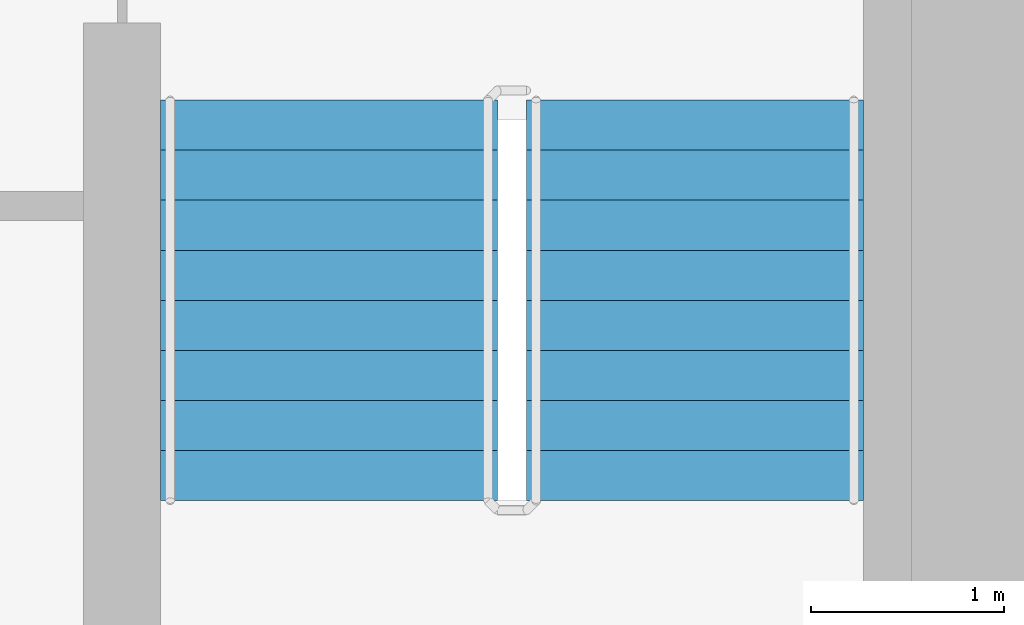
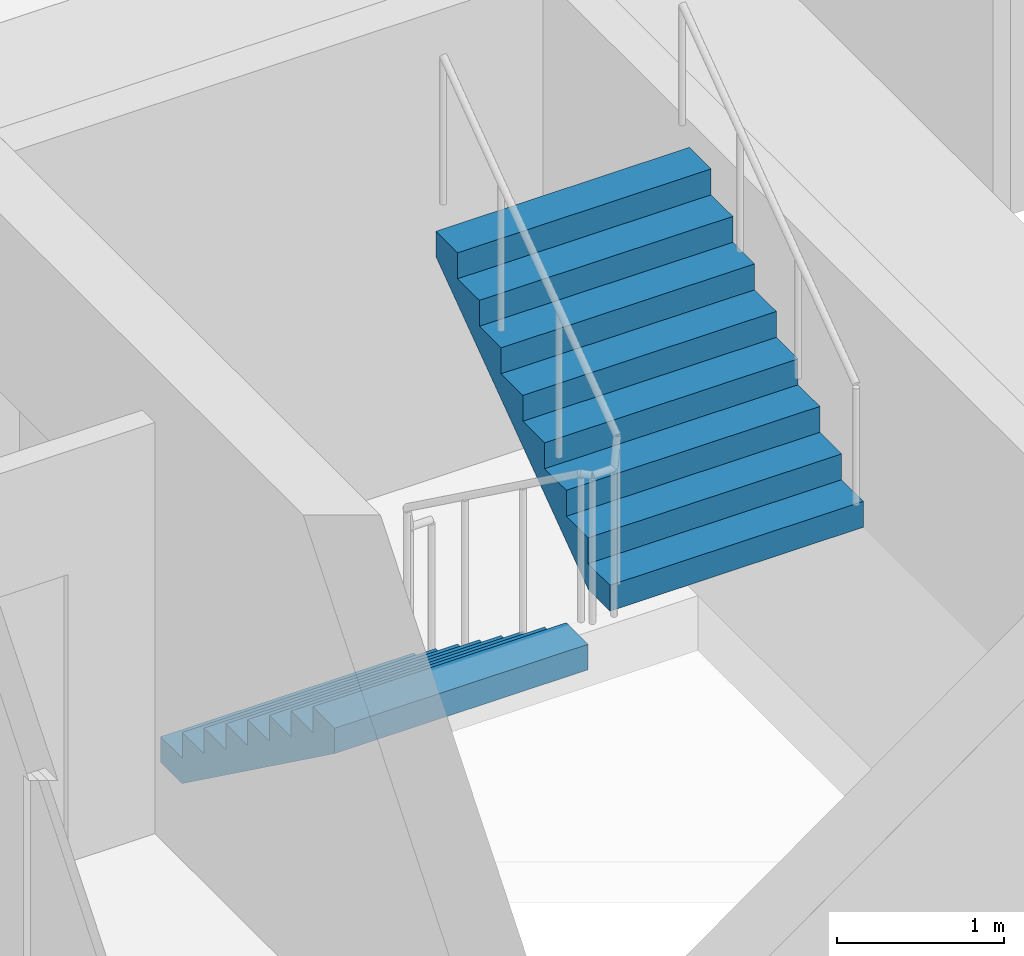
# One storey, part 16 of 20: 2 stair flights, 1 element without a shape of its own.
"""IFC4 building model written with IfcOpenShell, lengths in metres."""

from ifc_helpers import new_model, si_unit, direction, frame, origin, place, context, subcontext, project, spatial, faceted_brep, material, type_object, element, aggregate, save


model = new_model("IFC4")

# Units and contexts
model_context = context("Model", 3, precision=1e-05, world=origin(), true_north=direction((0.0, 1.0)))
body_context = subcontext(model_context, "Body", "Model", "MODEL_VIEW")
ifc_project = project(units=[si_unit("LENGTHUNIT", "METRE"), si_unit("AREAUNIT", "SQUARE_METRE"), si_unit("VOLUMEUNIT", "CUBIC_METRE"), si_unit("PLANEANGLEUNIT", "RADIAN"), si_unit("MASSUNIT", "GRAM", prefix="KILO")], contexts=[model_context])

# Site, building, storey
site_placement = place(None, origin())
site = spatial("IfcSite", under=ifc_project, at=site_placement, CompositionType="ELEMENT")
building_placement = place(site_placement, origin())
building = spatial("IfcBuilding", under=site, at=building_placement, Name="Ipe Terrace Towers", CompositionType="ELEMENT")
storey_placement = place(building_placement, frame((0.0, 0.0, 100.39990234375)))
storey = spatial("IfcBuildingStorey", under=building, at=storey_placement, Name="L27", CompositionType="ELEMENT", Elevation=100.39990234375)

# Stair, stair flights
ifc_material_1 = material(Name="Concrete C30/37", Category="concrete")
stair_type = type_object("IfcStairType", Name="Protected exit stair", PredefinedType="HALF_TURN_STAIR", material=ifc_material_1)
stair_placement = place(storey_placement, origin())
stair = element("IfcStair", 1, at=stair_placement, inside=storey, type_object=stair_type, Name="L27 Exit stair T2-C2", PredefinedType="HALF_TURN_STAIR")
ifc_material_2 = material(Name="Concrete C30/37", Category="concrete")
stair_flight_type = type_object("IfcStairFlightType", Name="Exit stair flight 1750", PredefinedType="STRAIGHT", material=ifc_material_2)
stair_flight_1_placement = place(storey_placement, frame((38.77490234375, -9.699951171875, 0.0), z_axis=(0.0, 0.0, 1.0), x_axis=(0.0, -1.0, 0.0)))
stair_flight_1 = element("IfcStairFlight", 2, at=stair_flight_1_placement, type_object=stair_flight_type, Name="T2-ST2 flight 1", NumberOfRisers=9, NumberOfTreads=8, PredefinedType="STRAIGHT", RiserHeight=0.188888889, TreadLength=0.26, context=body_context, shape_type="Brep", body=[
    faceted_brep([(0.255126953125, -0.875, 0.0), (2.080078125, -0.875, 1.325927734375), (2.080078125, -0.875, 1.51123046875), (1.820068359375, -0.875, 1.51123046875), (1.820068359375, -0.875, 1.322265625), (1.56005859375, -0.875, 1.322265625), (1.56005859375, -0.875, 1.13330078125), (1.300048828125, -0.875, 1.13330078125), (1.300048828125, -0.875, 0.9443359375), (1.0400390625, -0.875, 0.9443359375), (1.0400390625, -0.875, 0.755615234375), (0.780029296875, -0.875, 0.755615234375), (0.780029296875, -0.875, 0.566650390625), (0.52001953125, -0.875, 0.566650390625), (0.52001953125, -0.875, 0.377685546875), (0.260009765625, -0.875, 0.377685546875), (0.260009765625, -0.875, 0.18896484375), (0.0, -0.875, 0.18896484375), (0.0, -0.875, 0.0), (0.0, 0.875, 0.0), (0.0, 0.875, 0.18896484375), (0.260009765625, 0.875, 0.18896484375), (0.260009765625, 0.875, 0.377685546875), (0.52001953125, 0.875, 0.377685546875), (0.52001953125, 0.875, 0.566650390625), (0.780029296875, 0.875, 0.566650390625), (0.780029296875, 0.875, 0.755615234375), (1.0400390625, 0.875, 0.755615234375), (1.0400390625, 0.875, 0.9443359375), (1.300048828125, 0.875, 0.9443359375), (1.300048828125, 0.875, 1.13330078125), (1.56005859375, 0.875, 1.13330078125), (1.56005859375, 0.875, 1.322265625), (1.820068359375, 0.875, 1.322265625), (1.820068359375, 0.875, 1.51123046875), (2.080078125, 0.875, 1.51123046875), (2.080078125, 0.875, 1.325927734375), (0.255126953125, 0.875, 0.0), (0.0, -0.300048828125, 0.18896484375), (0.0, -0.1201171875, 0.18896484375), (0.0, -0.06005859375, 0.18896484375), (0.0, -0.030029296875, 0.18896484375), (0.0, -0.010009765625, 0.18896484375), (0.0, 0.0, 0.18896484375), (0.0, 0.010009765625, 0.18896484375), (0.0, 0.030029296875, 0.18896484375), (0.0, 0.06005859375, 0.18896484375), (0.0, 0.1201171875, 0.18896484375), (0.0, 0.300048828125, 0.18896484375), (0.0, 0.300048828125, 0.0), (0.0, 0.1201171875, 0.0), (0.0, 0.06005859375, 0.0), (0.0, 0.030029296875, 0.0), (0.0, 0.010009765625, 0.0), (0.0, 0.0, 0.0), (0.0, -0.010009765625, 0.0), (0.0, -0.030029296875, 0.0), (0.0, -0.06005859375, 0.0), (0.0, -0.1201171875, 0.0), (0.0, -0.300048828125, 0.0), (0.260009765625, -0.300048828125, 0.18896484375), (0.260009765625, -0.1201171875, 0.18896484375), (0.260009765625, -0.06005859375, 0.18896484375), (0.260009765625, -0.030029296875, 0.18896484375), (0.260009765625, -0.010009765625, 0.18896484375), (0.260009765625, 0.0, 0.18896484375), (0.260009765625, 0.010009765625, 0.18896484375), (0.260009765625, 0.030029296875, 0.18896484375), (0.260009765625, 0.06005859375, 0.18896484375), (0.260009765625, 0.1201171875, 0.18896484375), (0.260009765625, 0.300048828125, 0.18896484375), (0.260009765625, -0.300048828125, 0.377685546875), (0.260009765625, -0.1201171875, 0.377685546875), (0.260009765625, -0.06005859375, 0.377685546875), (0.260009765625, -0.030029296875, 0.377685546875), (0.260009765625, -0.010009765625, 0.377685546875), (0.260009765625, 0.0, 0.377685546875), (0.260009765625, 0.010009765625, 0.377685546875), (0.260009765625, 0.030029296875, 0.377685546875), (0.260009765625, 0.06005859375, 0.377685546875), (0.260009765625, 0.1201171875, 0.377685546875), (0.260009765625, 0.300048828125, 0.377685546875), (0.52001953125, -0.300048828125, 0.377685546875), (0.52001953125, -0.1201171875, 0.377685546875), (0.52001953125, -0.06005859375, 0.377685546875), (0.52001953125, -0.030029296875, 0.377685546875), (0.52001953125, -0.010009765625, 0.377685546875), (0.52001953125, 0.0, 0.377685546875), (0.52001953125, 0.010009765625, 0.377685546875), (0.52001953125, 0.030029296875, 0.377685546875), (0.52001953125, 0.06005859375, 0.377685546875), (0.52001953125, 0.1201171875, 0.377685546875), (0.52001953125, 0.300048828125, 0.377685546875), (0.52001953125, -0.300048828125, 0.566650390625), (0.52001953125, -0.1201171875, 0.566650390625), (0.52001953125, -0.06005859375, 0.566650390625), (0.52001953125, -0.030029296875, 0.566650390625), (0.52001953125, -0.010009765625, 0.566650390625), (0.52001953125, 0.0, 0.566650390625), (0.52001953125, 0.010009765625, 0.566650390625), (0.52001953125, 0.030029296875, 0.566650390625), (0.52001953125, 0.06005859375, 0.566650390625), (0.52001953125, 0.1201171875, 0.566650390625), (0.52001953125, 0.300048828125, 0.566650390625), (0.780029296875, -0.300048828125, 0.566650390625), (0.780029296875, -0.1201171875, 0.566650390625), (0.780029296875, -0.06005859375, 0.566650390625), (0.780029296875, -0.030029296875, 0.566650390625), (0.780029296875, -0.010009765625, 0.566650390625), (0.780029296875, 0.0, 0.566650390625), (0.780029296875, 0.010009765625, 0.566650390625), (0.780029296875, 0.030029296875, 0.566650390625), (0.780029296875, 0.06005859375, 0.566650390625), (0.780029296875, 0.1201171875, 0.566650390625), (0.780029296875, 0.300048828125, 0.566650390625), (0.780029296875, -0.300048828125, 0.755615234375), (0.780029296875, -0.1201171875, 0.755615234375), (0.780029296875, -0.06005859375, 0.755615234375), (0.780029296875, -0.030029296875, 0.755615234375), (0.780029296875, -0.010009765625, 0.755615234375), (0.780029296875, 0.0, 0.755615234375), (0.780029296875, 0.010009765625, 0.755615234375), (0.780029296875, 0.030029296875, 0.755615234375), (0.780029296875, 0.06005859375, 0.755615234375), (0.780029296875, 0.1201171875, 0.755615234375), (0.780029296875, 0.300048828125, 0.755615234375), (1.0400390625, -0.300048828125, 0.755615234375), (1.0400390625, -0.1201171875, 0.755615234375), (1.0400390625, -0.06005859375, 0.755615234375), (1.0400390625, -0.030029296875, 0.755615234375), (1.0400390625, -0.010009765625, 0.755615234375), (1.0400390625, 0.0, 0.755615234375), (1.0400390625, 0.010009765625, 0.755615234375), (1.0400390625, 0.030029296875, 0.755615234375), (1.0400390625, 0.06005859375, 0.755615234375), (1.0400390625, 0.1201171875, 0.755615234375), (1.0400390625, 0.300048828125, 0.755615234375), (1.0400390625, -0.300048828125, 0.9443359375), (1.0400390625, -0.1201171875, 0.9443359375), (1.0400390625, -0.06005859375, 0.9443359375), (1.0400390625, -0.030029296875, 0.9443359375), (1.0400390625, -0.010009765625, 0.9443359375), (1.0400390625, 0.0, 0.9443359375), (1.0400390625, 0.010009765625, 0.9443359375), (1.0400390625, 0.030029296875, 0.9443359375), (1.0400390625, 0.06005859375, 0.9443359375), (1.0400390625, 0.1201171875, 0.9443359375), (1.0400390625, 0.300048828125, 0.9443359375), (1.300048828125, -0.300048828125, 0.9443359375), (1.300048828125, -0.1201171875, 0.9443359375), (1.300048828125, -0.06005859375, 0.9443359375), (1.300048828125, -0.030029296875, 0.9443359375), (1.300048828125, -0.010009765625, 0.9443359375), (1.300048828125, 0.0, 0.9443359375), (1.300048828125, 0.010009765625, 0.9443359375), (1.300048828125, 0.030029296875, 0.9443359375), (1.300048828125, 0.06005859375, 0.9443359375), (1.300048828125, 0.1201171875, 0.9443359375), (1.300048828125, 0.300048828125, 0.9443359375), (1.300048828125, -0.300048828125, 1.13330078125), (1.300048828125, -0.1201171875, 1.13330078125), (1.300048828125, -0.06005859375, 1.13330078125), (1.300048828125, -0.030029296875, 1.13330078125), (1.300048828125, -0.010009765625, 1.13330078125), (1.300048828125, 0.0, 1.13330078125), (1.300048828125, 0.010009765625, 1.13330078125), (1.300048828125, 0.030029296875, 1.13330078125), (1.300048828125, 0.06005859375, 1.13330078125), (1.300048828125, 0.1201171875, 1.13330078125), (1.300048828125, 0.300048828125, 1.13330078125), (1.56005859375, -0.300048828125, 1.13330078125), (1.56005859375, -0.1201171875, 1.13330078125), (1.56005859375, -0.06005859375, 1.13330078125), (1.56005859375, -0.030029296875, 1.13330078125), (1.56005859375, -0.010009765625, 1.13330078125), (1.56005859375, 0.0, 1.13330078125), (1.56005859375, 0.010009765625, 1.13330078125), (1.56005859375, 0.030029296875, 1.13330078125), (1.56005859375, 0.06005859375, 1.13330078125), (1.56005859375, 0.1201171875, 1.13330078125), (1.56005859375, 0.300048828125, 1.13330078125), (1.56005859375, -0.300048828125, 1.322265625), (1.56005859375, -0.1201171875, 1.322265625), (1.56005859375, -0.06005859375, 1.322265625), (1.56005859375, -0.030029296875, 1.322265625), (1.56005859375, -0.010009765625, 1.322265625), (1.56005859375, 0.0, 1.322265625), (1.56005859375, 0.010009765625, 1.322265625), (1.56005859375, 0.030029296875, 1.322265625), (1.56005859375, 0.06005859375, 1.322265625), (1.56005859375, 0.1201171875, 1.322265625), (1.56005859375, 0.300048828125, 1.322265625), (1.820068359375, -0.300048828125, 1.322265625), (1.820068359375, -0.1201171875, 1.322265625), (1.820068359375, -0.06005859375, 1.322265625), (1.820068359375, -0.030029296875, 1.322265625), (1.820068359375, -0.010009765625, 1.322265625), (1.820068359375, 0.0, 1.322265625), (1.820068359375, 0.010009765625, 1.322265625), (1.820068359375, 0.030029296875, 1.322265625), (1.820068359375, 0.06005859375, 1.322265625), (1.820068359375, 0.1201171875, 1.322265625), (1.820068359375, 0.300048828125, 1.322265625), (1.820068359375, -0.300048828125, 1.51123046875), (1.820068359375, -0.1201171875, 1.51123046875), (1.820068359375, -0.06005859375, 1.51123046875), (1.820068359375, -0.030029296875, 1.51123046875), (1.820068359375, -0.010009765625, 1.51123046875), (1.820068359375, 0.0, 1.51123046875), (1.820068359375, 0.010009765625, 1.51123046875), (1.820068359375, 0.030029296875, 1.51123046875), (1.820068359375, 0.06005859375, 1.51123046875), (1.820068359375, 0.1201171875, 1.51123046875), (1.820068359375, 0.300048828125, 1.51123046875), (2.080078125, -0.300048828125, 1.51123046875), (2.080078125, -0.1201171875, 1.51123046875), (2.080078125, -0.06005859375, 1.51123046875), (2.080078125, -0.030029296875, 1.51123046875), (2.080078125, -0.010009765625, 1.51123046875), (2.080078125, 0.0, 1.51123046875), (2.080078125, 0.010009765625, 1.51123046875), (2.080078125, 0.030029296875, 1.51123046875), (2.080078125, 0.06005859375, 1.51123046875), (2.080078125, 0.1201171875, 1.51123046875), (2.080078125, 0.300048828125, 1.51123046875), (2.080078125, -0.300048828125, 1.325927734375), (2.080078125, -0.1201171875, 1.325927734375), (2.080078125, -0.06005859375, 1.325927734375), (2.080078125, -0.030029296875, 1.325927734375), (2.080078125, -0.010009765625, 1.325927734375), (2.080078125, 0.0, 1.325927734375), (2.080078125, 0.010009765625, 1.325927734375), (2.080078125, 0.030029296875, 1.325927734375), (2.080078125, 0.06005859375, 1.325927734375), (2.080078125, 0.1201171875, 1.325927734375), (2.080078125, 0.300048828125, 1.325927734375), (0.255126953125, -0.300048828125, 0.0), (0.255126953125, -0.1201171875, 0.0), (0.255126953125, -0.06005859375, 0.0), (0.255126953125, -0.030029296875, 0.0), (0.255126953125, -0.010009765625, 0.0), (0.255126953125, 0.0, 0.0), (0.255126953125, 0.010009765625, 0.0), (0.255126953125, 0.030029296875, 0.0), (0.255126953125, 0.06005859375, 0.0), (0.255126953125, 0.1201171875, 0.0), (0.255126953125, 0.300048828125, 0.0)], [[[0, 1, 2, 3, 4, 5, 6, 7, 8, 9, 10, 11, 12, 13, 14, 15, 16, 17, 18]], [[19, 20, 21, 22, 23, 24, 25, 26, 27, 28, 29, 30, 31, 32, 33, 34, 35, 36, 37]], [[17, 38, 39, 40, 41, 42, 43, 44, 45, 46, 47, 48, 20, 19, 49, 50, 51, 52, 53, 54, 55, 56, 57, 58, 59, 18]], [[16, 60, 61, 62, 63, 64, 65, 66, 67, 68, 69, 70, 21, 20, 48, 47, 46, 45, 44, 43, 42, 41, 40, 39, 38, 17]], [[15, 71, 72, 73, 74, 75, 76, 77, 78, 79, 80, 81, 22, 21, 70, 69, 68, 67, 66, 65, 64, 63, 62, 61, 60, 16]], [[14, 82, 83, 84, 85, 86, 87, 88, 89, 90, 91, 92, 23, 22, 81, 80, 79, 78, 77, 76, 75, 74, 73, 72, 71, 15]], [[13, 93, 94, 95, 96, 97, 98, 99, 100, 101, 102, 103, 24, 23, 92, 91, 90, 89, 88, 87, 86, 85, 84, 83, 82, 14]], [[12, 104, 105, 106, 107, 108, 109, 110, 111, 112, 113, 114, 25, 24, 103, 102, 101, 100, 99, 98, 97, 96, 95, 94, 93, 13]], [[11, 115, 116, 117, 118, 119, 120, 121, 122, 123, 124, 125, 26, 25, 114, 113, 112, 111, 110, 109, 108, 107, 106, 105, 104, 12]], [[10, 126, 127, 128, 129, 130, 131, 132, 133, 134, 135, 136, 27, 26, 125, 124, 123, 122, 121, 120, 119, 118, 117, 116, 115, 11]], [[9, 137, 138, 139, 140, 141, 142, 143, 144, 145, 146, 147, 28, 27, 136, 135, 134, 133, 132, 131, 130, 129, 128, 127, 126, 10]], [[8, 148, 149, 150, 151, 152, 153, 154, 155, 156, 157, 158, 29, 28, 147, 146, 145, 144, 143, 142, 141, 140, 139, 138, 137, 9]], [[7, 159, 160, 161, 162, 163, 164, 165, 166, 167, 168, 169, 30, 29, 158, 157, 156, 155, 154, 153, 152, 151, 150, 149, 148, 8]], [[6, 170, 171, 172, 173, 174, 175, 176, 177, 178, 179, 180, 31, 30, 169, 168, 167, 166, 165, 164, 163, 162, 161, 160, 159, 7]], [[5, 181, 182, 183, 184, 185, 186, 187, 188, 189, 190, 191, 32, 31, 180, 179, 178, 177, 176, 175, 174, 173, 172, 171, 170, 6]], [[4, 192, 193, 194, 195, 196, 197, 198, 199, 200, 201, 202, 33, 32, 191, 190, 189, 188, 187, 186, 185, 184, 183, 182, 181, 5]], [[3, 203, 204, 205, 206, 207, 208, 209, 210, 211, 212, 213, 34, 33, 202, 201, 200, 199, 198, 197, 196, 195, 194, 193, 192, 4]], [[2, 214, 215, 216, 217, 218, 219, 220, 221, 222, 223, 224, 35, 34, 213, 212, 211, 210, 209, 208, 207, 206, 205, 204, 203, 3]], [[1, 225, 226, 227, 228, 229, 230, 231, 232, 233, 234, 235, 36, 35, 224, 223, 222, 221, 220, 219, 218, 217, 216, 215, 214, 2]], [[0, 236, 237, 238, 239, 240, 241, 242, 243, 244, 245, 246, 37, 36, 235, 234, 233, 232, 231, 230, 229, 228, 227, 226, 225, 1]], [[18, 59, 58, 57, 56, 55, 54, 53, 52, 51, 50, 49, 19, 37, 246, 245, 244, 243, 242, 241, 240, 239, 238, 237, 236, 0]]]),
])
stair_flight_2_placement = place(storey_placement, frame((40.675048828125, -11.780029296875, 1.7001953125), z_axis=(0.0, 0.0, 1.0), x_axis=(0.0, 1.0, 0.0)))
stair_flight_2 = element("IfcStairFlight", 3, at=stair_flight_2_placement, type_object=stair_flight_type, Name="T2-ST2 flight 2", NumberOfRisers=9, NumberOfTreads=8, PredefinedType="STRAIGHT", RiserHeight=0.188888889, TreadLength=0.26, context=body_context, shape_type="Brep", body=[
    faceted_brep([(0.255126953125, -0.875, 0.0), (2.080078125, -0.875, 1.325927734375), (2.080078125, -0.875, 1.51123046875), (1.820068359375, -0.875, 1.51123046875), (1.820068359375, -0.875, 1.322265625), (1.56005859375, -0.875, 1.322265625), (1.56005859375, -0.875, 1.13330078125), (1.300048828125, -0.875, 1.13330078125), (1.300048828125, -0.875, 0.9443359375), (1.0400390625, -0.875, 0.9443359375), (1.0400390625, -0.875, 0.755615234375), (0.780029296875, -0.875, 0.755615234375), (0.780029296875, -0.875, 0.566650390625), (0.52001953125, -0.875, 0.566650390625), (0.52001953125, -0.875, 0.377685546875), (0.260009765625, -0.875, 0.377685546875), (0.260009765625, -0.875, 0.18896484375), (0.0, -0.875, 0.18896484375), (0.0, -0.875, 0.0), (0.0, 0.875, 0.0), (0.0, 0.875, 0.18896484375), (0.260009765625, 0.875, 0.18896484375), (0.260009765625, 0.875, 0.377685546875), (0.52001953125, 0.875, 0.377685546875), (0.52001953125, 0.875, 0.566650390625), (0.780029296875, 0.875, 0.566650390625), (0.780029296875, 0.875, 0.755615234375), (1.0400390625, 0.875, 0.755615234375), (1.0400390625, 0.875, 0.9443359375), (1.300048828125, 0.875, 0.9443359375), (1.300048828125, 0.875, 1.13330078125), (1.56005859375, 0.875, 1.13330078125), (1.56005859375, 0.875, 1.322265625), (1.820068359375, 0.875, 1.322265625), (1.820068359375, 0.875, 1.51123046875), (2.080078125, 0.875, 1.51123046875), (2.080078125, 0.875, 1.325927734375), (0.255126953125, 0.875, 0.0), (0.0, -0.300048828125, 0.18896484375), (0.0, -0.1201171875, 0.18896484375), (0.0, -0.06005859375, 0.18896484375), (0.0, -0.030029296875, 0.18896484375), (0.0, -0.010009765625, 0.18896484375), (0.0, 0.0, 0.18896484375), (0.0, 0.010009765625, 0.18896484375), (0.0, 0.030029296875, 0.18896484375), (0.0, 0.06005859375, 0.18896484375), (0.0, 0.1201171875, 0.18896484375), (0.0, 0.300048828125, 0.18896484375), (0.0, 0.300048828125, 0.0), (0.0, 0.1201171875, 0.0), (0.0, 0.06005859375, 0.0), (0.0, 0.030029296875, 0.0), (0.0, 0.010009765625, 0.0), (0.0, 0.0, 0.0), (0.0, -0.010009765625, 0.0), (0.0, -0.030029296875, 0.0), (0.0, -0.06005859375, 0.0), (0.0, -0.1201171875, 0.0), (0.0, -0.300048828125, 0.0), (0.260009765625, -0.300048828125, 0.18896484375), (0.260009765625, -0.1201171875, 0.18896484375), (0.260009765625, -0.06005859375, 0.18896484375), (0.260009765625, -0.030029296875, 0.18896484375), (0.260009765625, -0.010009765625, 0.18896484375), (0.260009765625, 0.0, 0.18896484375), (0.260009765625, 0.010009765625, 0.18896484375), (0.260009765625, 0.030029296875, 0.18896484375), (0.260009765625, 0.06005859375, 0.18896484375), (0.260009765625, 0.1201171875, 0.18896484375), (0.260009765625, 0.300048828125, 0.18896484375), (0.260009765625, -0.300048828125, 0.377685546875), (0.260009765625, -0.1201171875, 0.377685546875), (0.260009765625, -0.06005859375, 0.377685546875), (0.260009765625, -0.030029296875, 0.377685546875), (0.260009765625, -0.010009765625, 0.377685546875), (0.260009765625, 0.0, 0.377685546875), (0.260009765625, 0.010009765625, 0.377685546875), (0.260009765625, 0.030029296875, 0.377685546875), (0.260009765625, 0.06005859375, 0.377685546875), (0.260009765625, 0.1201171875, 0.377685546875), (0.260009765625, 0.300048828125, 0.377685546875), (0.52001953125, -0.300048828125, 0.377685546875), (0.52001953125, -0.1201171875, 0.377685546875), (0.52001953125, -0.06005859375, 0.377685546875), (0.52001953125, -0.030029296875, 0.377685546875), (0.52001953125, -0.010009765625, 0.377685546875), (0.52001953125, 0.0, 0.377685546875), (0.52001953125, 0.010009765625, 0.377685546875), (0.52001953125, 0.030029296875, 0.377685546875), (0.52001953125, 0.06005859375, 0.377685546875), (0.52001953125, 0.1201171875, 0.377685546875), (0.52001953125, 0.300048828125, 0.377685546875), (0.52001953125, -0.300048828125, 0.566650390625), (0.52001953125, -0.1201171875, 0.566650390625), (0.52001953125, -0.06005859375, 0.566650390625), (0.52001953125, -0.030029296875, 0.566650390625), (0.52001953125, -0.010009765625, 0.566650390625), (0.52001953125, 0.0, 0.566650390625), (0.52001953125, 0.010009765625, 0.566650390625), (0.52001953125, 0.030029296875, 0.566650390625), (0.52001953125, 0.06005859375, 0.566650390625), (0.52001953125, 0.1201171875, 0.566650390625), (0.52001953125, 0.300048828125, 0.566650390625), (0.780029296875, -0.300048828125, 0.566650390625), (0.780029296875, -0.1201171875, 0.566650390625), (0.780029296875, -0.06005859375, 0.566650390625), (0.780029296875, -0.030029296875, 0.566650390625), (0.780029296875, -0.010009765625, 0.566650390625), (0.780029296875, 0.0, 0.566650390625), (0.780029296875, 0.010009765625, 0.566650390625), (0.780029296875, 0.030029296875, 0.566650390625), (0.780029296875, 0.06005859375, 0.566650390625), (0.780029296875, 0.1201171875, 0.566650390625), (0.780029296875, 0.300048828125, 0.566650390625), (0.780029296875, -0.300048828125, 0.755615234375), (0.780029296875, -0.1201171875, 0.755615234375), (0.780029296875, -0.06005859375, 0.755615234375), (0.780029296875, -0.030029296875, 0.755615234375), (0.780029296875, -0.010009765625, 0.755615234375), (0.780029296875, 0.0, 0.755615234375), (0.780029296875, 0.010009765625, 0.755615234375), (0.780029296875, 0.030029296875, 0.755615234375), (0.780029296875, 0.06005859375, 0.755615234375), (0.780029296875, 0.1201171875, 0.755615234375), (0.780029296875, 0.300048828125, 0.755615234375), (1.0400390625, -0.300048828125, 0.755615234375), (1.0400390625, -0.1201171875, 0.755615234375), (1.0400390625, -0.06005859375, 0.755615234375), (1.0400390625, -0.030029296875, 0.755615234375), (1.0400390625, -0.010009765625, 0.755615234375), (1.0400390625, 0.0, 0.755615234375), (1.0400390625, 0.010009765625, 0.755615234375), (1.0400390625, 0.030029296875, 0.755615234375), (1.0400390625, 0.06005859375, 0.755615234375), (1.0400390625, 0.1201171875, 0.755615234375), (1.0400390625, 0.300048828125, 0.755615234375), (1.0400390625, -0.300048828125, 0.9443359375), (1.0400390625, -0.1201171875, 0.9443359375), (1.0400390625, -0.06005859375, 0.9443359375), (1.0400390625, -0.030029296875, 0.9443359375), (1.0400390625, -0.010009765625, 0.9443359375), (1.0400390625, 0.0, 0.9443359375), (1.0400390625, 0.010009765625, 0.9443359375), (1.0400390625, 0.030029296875, 0.9443359375), (1.0400390625, 0.06005859375, 0.9443359375), (1.0400390625, 0.1201171875, 0.9443359375), (1.0400390625, 0.300048828125, 0.9443359375), (1.300048828125, -0.300048828125, 0.9443359375), (1.300048828125, -0.1201171875, 0.9443359375), (1.300048828125, -0.06005859375, 0.9443359375), (1.300048828125, -0.030029296875, 0.9443359375), (1.300048828125, -0.010009765625, 0.9443359375), (1.300048828125, 0.0, 0.9443359375), (1.300048828125, 0.010009765625, 0.9443359375), (1.300048828125, 0.030029296875, 0.9443359375), (1.300048828125, 0.06005859375, 0.9443359375), (1.300048828125, 0.1201171875, 0.9443359375), (1.300048828125, 0.300048828125, 0.9443359375), (1.300048828125, -0.300048828125, 1.13330078125), (1.300048828125, -0.1201171875, 1.13330078125), (1.300048828125, -0.06005859375, 1.13330078125), (1.300048828125, -0.030029296875, 1.13330078125), (1.300048828125, -0.010009765625, 1.13330078125), (1.300048828125, 0.0, 1.13330078125), (1.300048828125, 0.010009765625, 1.13330078125), (1.300048828125, 0.030029296875, 1.13330078125), (1.300048828125, 0.06005859375, 1.13330078125), (1.300048828125, 0.1201171875, 1.13330078125), (1.300048828125, 0.300048828125, 1.13330078125), (1.56005859375, -0.300048828125, 1.13330078125), (1.56005859375, -0.1201171875, 1.13330078125), (1.56005859375, -0.06005859375, 1.13330078125), (1.56005859375, -0.030029296875, 1.13330078125), (1.56005859375, -0.010009765625, 1.13330078125), (1.56005859375, 0.0, 1.13330078125), (1.56005859375, 0.010009765625, 1.13330078125), (1.56005859375, 0.030029296875, 1.13330078125), (1.56005859375, 0.06005859375, 1.13330078125), (1.56005859375, 0.1201171875, 1.13330078125), (1.56005859375, 0.300048828125, 1.13330078125), (1.56005859375, -0.300048828125, 1.322265625), (1.56005859375, -0.1201171875, 1.322265625), (1.56005859375, -0.06005859375, 1.322265625), (1.56005859375, -0.030029296875, 1.322265625), (1.56005859375, -0.010009765625, 1.322265625), (1.56005859375, 0.0, 1.322265625), (1.56005859375, 0.010009765625, 1.322265625), (1.56005859375, 0.030029296875, 1.322265625), (1.56005859375, 0.06005859375, 1.322265625), (1.56005859375, 0.1201171875, 1.322265625), (1.56005859375, 0.300048828125, 1.322265625), (1.820068359375, -0.300048828125, 1.322265625), (1.820068359375, -0.1201171875, 1.322265625), (1.820068359375, -0.06005859375, 1.322265625), (1.820068359375, -0.030029296875, 1.322265625), (1.820068359375, -0.010009765625, 1.322265625), (1.820068359375, 0.0, 1.322265625), (1.820068359375, 0.010009765625, 1.322265625), (1.820068359375, 0.030029296875, 1.322265625), (1.820068359375, 0.06005859375, 1.322265625), (1.820068359375, 0.1201171875, 1.322265625), (1.820068359375, 0.300048828125, 1.322265625), (1.820068359375, -0.300048828125, 1.51123046875), (1.820068359375, -0.1201171875, 1.51123046875), (1.820068359375, -0.06005859375, 1.51123046875), (1.820068359375, -0.030029296875, 1.51123046875), (1.820068359375, -0.010009765625, 1.51123046875), (1.820068359375, 0.0, 1.51123046875), (1.820068359375, 0.010009765625, 1.51123046875), (1.820068359375, 0.030029296875, 1.51123046875), (1.820068359375, 0.06005859375, 1.51123046875), (1.820068359375, 0.1201171875, 1.51123046875), (1.820068359375, 0.300048828125, 1.51123046875), (2.080078125, -0.300048828125, 1.51123046875), (2.080078125, -0.1201171875, 1.51123046875), (2.080078125, -0.06005859375, 1.51123046875), (2.080078125, -0.030029296875, 1.51123046875), (2.080078125, -0.010009765625, 1.51123046875), (2.080078125, 0.0, 1.51123046875), (2.080078125, 0.010009765625, 1.51123046875), (2.080078125, 0.030029296875, 1.51123046875), (2.080078125, 0.06005859375, 1.51123046875), (2.080078125, 0.1201171875, 1.51123046875), (2.080078125, 0.300048828125, 1.51123046875), (2.080078125, -0.300048828125, 1.325927734375), (2.080078125, -0.1201171875, 1.325927734375), (2.080078125, -0.06005859375, 1.325927734375), (2.080078125, -0.030029296875, 1.325927734375), (2.080078125, -0.010009765625, 1.325927734375), (2.080078125, 0.0, 1.325927734375), (2.080078125, 0.010009765625, 1.325927734375), (2.080078125, 0.030029296875, 1.325927734375), (2.080078125, 0.06005859375, 1.325927734375), (2.080078125, 0.1201171875, 1.325927734375), (2.080078125, 0.300048828125, 1.325927734375), (0.255126953125, -0.300048828125, 0.0), (0.255126953125, -0.1201171875, 0.0), (0.255126953125, -0.06005859375, 0.0), (0.255126953125, -0.030029296875, 0.0), (0.255126953125, -0.010009765625, 0.0), (0.255126953125, 0.0, 0.0), (0.255126953125, 0.010009765625, 0.0), (0.255126953125, 0.030029296875, 0.0), (0.255126953125, 0.06005859375, 0.0), (0.255126953125, 0.1201171875, 0.0), (0.255126953125, 0.300048828125, 0.0)], [[[0, 1, 2, 3, 4, 5, 6, 7, 8, 9, 10, 11, 12, 13, 14, 15, 16, 17, 18]], [[19, 20, 21, 22, 23, 24, 25, 26, 27, 28, 29, 30, 31, 32, 33, 34, 35, 36, 37]], [[17, 38, 39, 40, 41, 42, 43, 44, 45, 46, 47, 48, 20, 19, 49, 50, 51, 52, 53, 54, 55, 56, 57, 58, 59, 18]], [[16, 60, 61, 62, 63, 64, 65, 66, 67, 68, 69, 70, 21, 20, 48, 47, 46, 45, 44, 43, 42, 41, 40, 39, 38, 17]], [[15, 71, 72, 73, 74, 75, 76, 77, 78, 79, 80, 81, 22, 21, 70, 69, 68, 67, 66, 65, 64, 63, 62, 61, 60, 16]], [[14, 82, 83, 84, 85, 86, 87, 88, 89, 90, 91, 92, 23, 22, 81, 80, 79, 78, 77, 76, 75, 74, 73, 72, 71, 15]], [[13, 93, 94, 95, 96, 97, 98, 99, 100, 101, 102, 103, 24, 23, 92, 91, 90, 89, 88, 87, 86, 85, 84, 83, 82, 14]], [[12, 104, 105, 106, 107, 108, 109, 110, 111, 112, 113, 114, 25, 24, 103, 102, 101, 100, 99, 98, 97, 96, 95, 94, 93, 13]], [[11, 115, 116, 117, 118, 119, 120, 121, 122, 123, 124, 125, 26, 25, 114, 113, 112, 111, 110, 109, 108, 107, 106, 105, 104, 12]], [[10, 126, 127, 128, 129, 130, 131, 132, 133, 134, 135, 136, 27, 26, 125, 124, 123, 122, 121, 120, 119, 118, 117, 116, 115, 11]], [[9, 137, 138, 139, 140, 141, 142, 143, 144, 145, 146, 147, 28, 27, 136, 135, 134, 133, 132, 131, 130, 129, 128, 127, 126, 10]], [[8, 148, 149, 150, 151, 152, 153, 154, 155, 156, 157, 158, 29, 28, 147, 146, 145, 144, 143, 142, 141, 140, 139, 138, 137, 9]], [[7, 159, 160, 161, 162, 163, 164, 165, 166, 167, 168, 169, 30, 29, 158, 157, 156, 155, 154, 153, 152, 151, 150, 149, 148, 8]], [[6, 170, 171, 172, 173, 174, 175, 176, 177, 178, 179, 180, 31, 30, 169, 168, 167, 166, 165, 164, 163, 162, 161, 160, 159, 7]], [[5, 181, 182, 183, 184, 185, 186, 187, 188, 189, 190, 191, 32, 31, 180, 179, 178, 177, 176, 175, 174, 173, 172, 171, 170, 6]], [[4, 192, 193, 194, 195, 196, 197, 198, 199, 200, 201, 202, 33, 32, 191, 190, 189, 188, 187, 186, 185, 184, 183, 182, 181, 5]], [[3, 203, 204, 205, 206, 207, 208, 209, 210, 211, 212, 213, 34, 33, 202, 201, 200, 199, 198, 197, 196, 195, 194, 193, 192, 4]], [[2, 214, 215, 216, 217, 218, 219, 220, 221, 222, 223, 224, 35, 34, 213, 212, 211, 210, 209, 208, 207, 206, 205, 204, 203, 3]], [[1, 225, 226, 227, 228, 229, 230, 231, 232, 233, 234, 235, 36, 35, 224, 223, 222, 221, 220, 219, 218, 217, 216, 215, 214, 2]], [[0, 236, 237, 238, 239, 240, 241, 242, 243, 244, 245, 246, 37, 36, 235, 234, 233, 232, 231, 230, 229, 228, 227, 226, 225, 1]], [[18, 59, 58, 57, 56, 55, 54, 53, 52, 51, 50, 49, 19, 37, 246, 245, 244, 243, 242, 241, 240, 239, 238, 237, 236, 0]]]),
])
aggregate(stair, [stair_flight_1, stair_flight_2])

save(model, "model.ifc")
